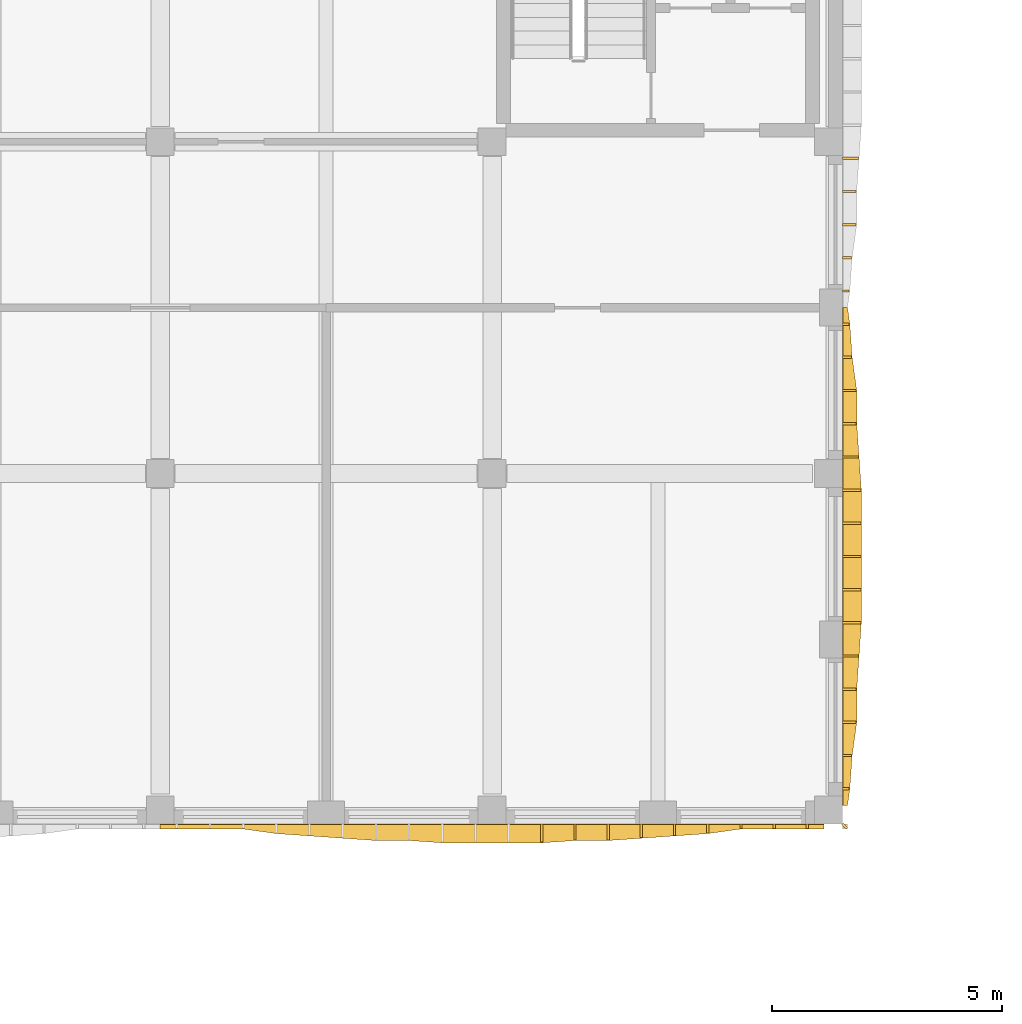
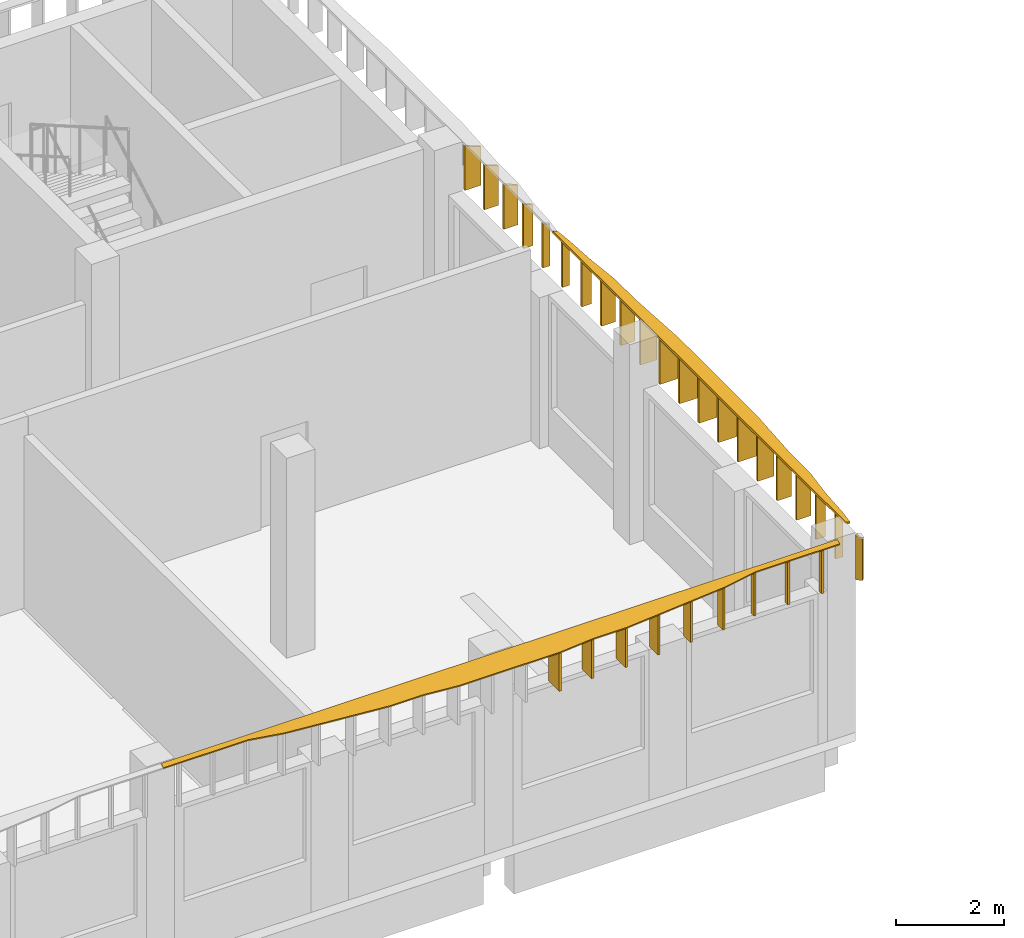
# One storey, part 39 of 44: 32 shading devices.
"""IFC4 building model written with IfcOpenShell, lengths in metres."""

from ifc_helpers import new_model, si_unit, direction, frame, origin, place, context, subcontext, project, spatial, polyline, outline, extrude, material, layer, layer_set, type_object, element, save


model = new_model("IFC4")

# Units and contexts
model_context = context("Model", 3, precision=1e-05, world=origin(), true_north=direction((0.0, 1.0)))
body_context = subcontext(model_context, "Body", "Model", "MODEL_VIEW")
ifc_project = project(units=[si_unit("LENGTHUNIT", "METRE"), si_unit("AREAUNIT", "SQUARE_METRE"), si_unit("VOLUMEUNIT", "CUBIC_METRE"), si_unit("PLANEANGLEUNIT", "RADIAN"), si_unit("MASSUNIT", "GRAM", prefix="KILO")], contexts=[model_context])

# Site, building, storey
site_placement = place(None, origin())
site = spatial("IfcSite", under=ifc_project, at=site_placement, CompositionType="ELEMENT")
building_placement = place(site_placement, origin())
building = spatial("IfcBuilding", under=site, at=building_placement, Name="Ussher Court Research Institute", CompositionType="ELEMENT")
storey_placement = place(building_placement, frame((0.0, 0.0, 18.89990234375)))
storey = spatial("IfcBuildingStorey", under=building, at=storey_placement, Name="L04", CompositionType="ELEMENT", Elevation=18.89990234375)

# Shading devices
ifc_material_1 = material(Name="Bronze anodised aluminium", Category="aluminium")
ifc_layer_1 = layer(ifc_material_1, 0.050048828125)
ifc_layer_set_1 = layer_set([ifc_layer_1], Name="Bronze anodised aluminium")
shading_device_type_1 = type_object("IfcShadingDeviceType", Name="Brim blade 100 mm deep 1000 mm high canted 20 deg dry", PredefinedType="USERDEFINED", material=ifc_layer_set_1)
for number, where, z_axis, x_axis, name in (
    (1, (81.840087890625, 68.39990234375, 3.4501953125), (0.0, 0.0, 1.0), (0.0, -1.0, 0.0), "Brim blade BS17 L04"),
    (2, (81.1201171875, 68.39990234375, 3.4501953125), (0.0, 0.0, 1.0), (0.0, -1.0, 0.0), "Brim blade BS17 L04"),
    (3, (80.39990234375, 68.39990234375, 3.4501953125), (0.0, 0.0, 1.0), (0.0, -1.0, 0.0), "Brim blade BS17 L04"),
):
    element("IfcShadingDevice", number, at=place(storey_placement, frame(where, z_axis=z_axis, x_axis=x_axis)), inside=storey, type_object=shading_device_type_1, Name=name, ObjectType="BLADE", PredefinedType="USERDEFINED", context=body_context, shape_type="SweptSolid", body=[
        extrude(outline(polyline([(0.0, 0.0), (0.099853515625, 0.0), (0.10009765625, 0.963623046875), (0.0, 1.0), (0.0, 0.0)])), frame((0.0, 0.02490234375, 0.0), z_axis=(0.0, -1.0, 0.0), x_axis=(1.0, 0.0, 0.0)), (0.0, 0.0, 1.0), 0.050048828125),
    ])
ifc_material_2 = material(Name="Bronze anodised aluminium", Category="aluminium")
ifc_layer_2 = layer(ifc_material_2, 0.050048828125)
ifc_layer_set_2 = layer_set([ifc_layer_2], Name="Bronze anodised aluminium")
shading_device_type_2 = type_object("IfcShadingDeviceType", Name="Brim blade 150 mm deep 1000 mm high canted 20 deg dry", PredefinedType="USERDEFINED", material=ifc_layer_set_2)
for number, where, z_axis, x_axis, name in (
    (4, (82.60009765625, 79.9599609375, 3.4501953125), (0.0, 0.0, 1.0), (1.0, 0.0, 0.0), "Brim blade BS16 L04"),
    (5, (82.60009765625, 79.239990234375, 3.4501953125), (0.0, 0.0, 1.0), (1.0, 0.0, 0.0), "Brim blade BS16 L04"),
    (6, (82.60009765625, 69.159912109375, 3.4501953125), (0.0, 0.0, 1.0), (1.0, 0.0, 0.0), "Brim blade BS16 L04"),
):
    element("IfcShadingDevice", number, at=place(storey_placement, frame(where, z_axis=z_axis, x_axis=x_axis)), inside=storey, type_object=shading_device_type_2, Name=name, ObjectType="BLADE", PredefinedType="USERDEFINED", context=body_context, shape_type="SweptSolid", body=[
        extrude(outline(polyline([(0.0, 0.0), (0.14990234375, 0.0), (0.14990234375, 0.9453125), (0.0, 1.0), (0.0, 0.0)])), frame((0.0, 0.02490234375, 0.0), z_axis=(0.0, -1.0, 0.0), x_axis=(1.0, 0.0, 0.0)), (0.0, 0.0, 1.0), 0.050048828125),
    ])
ifc_material_3 = material(Name="Bronze anodised aluminium", Category="aluminium")
ifc_layer_3 = layer(ifc_material_3, 0.050048828125)
ifc_layer_set_3 = layer_set([ifc_layer_3], Name="Bronze anodised aluminium")
shading_device_type_3 = type_object("IfcShadingDeviceType", Name="Brim blade 200 mm deep 1000 mm high canted 20 deg dry", PredefinedType="USERDEFINED", material=ifc_layer_set_3)
for number, where, z_axis, x_axis, name in (
    (7, (82.60009765625, 80.679931640625, 3.4501953125), (0.0, 0.0, 1.0), (1.0, 0.0, 0.0), "Brim blade BS15 L04"),
    (8, (82.60009765625, 78.52001953125, 3.4501953125), (0.0, 0.0, 1.0), (1.0, 0.0, 0.0), "Brim blade BS15 L04"),
    (9, (82.60009765625, 69.8798828125, 3.4501953125), (0.0, 0.0, 1.0), (1.0, 0.0, 0.0), "Brim blade BS15 L04"),
    (10, (79.679931640625, 68.39990234375, 3.4501953125), (0.0, 0.0, 1.0), (0.0, -1.0, 0.0), "Brim blade BS15 L04"),
):
    element("IfcShadingDevice", number, at=place(storey_placement, frame(where, z_axis=z_axis, x_axis=x_axis)), inside=storey, type_object=shading_device_type_3, Name=name, ObjectType="BLADE", PredefinedType="USERDEFINED", context=body_context, shape_type="SweptSolid", body=[
        extrude(outline(polyline([(0.0, 0.0), (0.199951171875, 0.0), (0.199951171875, 0.927001953125), (0.0, 1.0), (0.0, 0.0)])), frame((0.0, 0.02490234375, 0.0), z_axis=(0.0, -1.0, 0.0), x_axis=(1.0, 0.0, 0.0)), (0.0, 0.0, 1.0), 0.050048828125),
    ])
ifc_material_4 = material(Name="Bronze anodised aluminium", Category="aluminium")
ifc_layer_4 = layer(ifc_material_4, 0.050048828125)
ifc_layer_set_4 = layer_set([ifc_layer_4], Name="Bronze anodised aluminium")
shading_device_type_4 = type_object("IfcShadingDeviceType", Name="Brim blade 250 mm deep 1000 mm high canted 20 deg dry", PredefinedType="USERDEFINED", material=ifc_layer_set_4)
shading_device_1_placement = place(storey_placement, frame((78.9599609375, 68.39990234375, 3.4501953125), z_axis=(0.0, 0.0, 1.0), x_axis=(0.0, -1.0, 0.0)))
element("IfcShadingDevice", 11, at=shading_device_1_placement, inside=storey, type_object=shading_device_type_4, Name="Brim blade BS14 L04", ObjectType="BLADE", PredefinedType="USERDEFINED", context=body_context, shape_type="SweptSolid", body=[
    extrude(outline(polyline([(0.0, 0.0), (0.25, 0.0), (0.25, 0.908935546875), (0.0, 1.0), (0.0, 0.0)])), frame((0.0, 0.02490234375, 0.0), z_axis=(0.0, -1.0, 0.0), x_axis=(1.0, 0.0, 0.0)), (0.0, 0.0, 1.0), 0.050048828125),
])
ifc_material_5 = material(Name="Bronze anodised aluminium", Category="aluminium")
ifc_layer_5 = layer(ifc_material_5, 0.050048828125)
ifc_layer_set_5 = layer_set([ifc_layer_5], Name="Bronze anodised aluminium")
shading_device_type_5 = type_object("IfcShadingDeviceType", Name="Brim blade 300 mm deep 1000 mm high canted 20 deg dry", PredefinedType="USERDEFINED", material=ifc_layer_set_5)
for number, where, z_axis, x_axis, name in (
    (12, (82.60009765625, 82.1201171875, 3.4501953125), (0.0, 0.0, 1.0), (1.0, 0.0, 0.0), "Brim blade BS13 L04"),
    (13, (82.60009765625, 81.39990234375, 3.4501953125), (0.0, 0.0, 1.0), (1.0, 0.0, 0.0), "Brim blade BS13 L04"),
    (14, (82.60009765625, 77.800048828125, 3.4501953125), (0.0, 0.0, 1.0), (1.0, 0.0, 0.0), "Brim blade BS13 L04"),
    (15, (82.60009765625, 77.080078125, 3.4501953125), (0.0, 0.0, 1.0), (1.0, 0.0, 0.0), "Brim blade BS13 L04"),
    (16, (82.60009765625, 71.320068359375, 3.4501953125), (0.0, 0.0, 1.0), (1.0, 0.0, 0.0), "Brim blade BS13 L04"),
    (17, (82.60009765625, 70.60009765625, 3.4501953125), (0.0, 0.0, 1.0), (1.0, 0.0, 0.0), "Brim blade BS13 L04"),
    (18, (78.239990234375, 68.39990234375, 3.4501953125), (0.0, 0.0, 1.0), (0.0, -1.0, 0.0), "Brim blade BS13 L04"),
):
    element("IfcShadingDevice", number, at=place(storey_placement, frame(where, z_axis=z_axis, x_axis=x_axis)), inside=storey, type_object=shading_device_type_5, Name=name, ObjectType="BLADE", PredefinedType="USERDEFINED", context=body_context, shape_type="SweptSolid", body=[
        extrude(outline(polyline([(0.0, 0.0), (0.2998046875, 0.0), (0.300048828125, 0.890625), (0.0, 1.0), (0.0, 0.0)])), frame((0.0, 0.02490234375, 0.0), z_axis=(0.0, -1.0, 0.0), x_axis=(1.0, 0.0, 0.0)), (0.0, 0.0, 1.0), 0.050048828125),
    ])
ifc_material_6 = material(Name="Bronze anodised aluminium", Category="aluminium")
ifc_layer_6 = layer(ifc_material_6, 0.050048828125)
ifc_layer_set_6 = layer_set([ifc_layer_6], Name="Bronze anodised aluminium")
shading_device_type_6 = type_object("IfcShadingDeviceType", Name="Brim blade 350 mm deep 1000 mm high canted 20 deg dry", PredefinedType="USERDEFINED", material=ifc_layer_set_6)
for number, where, z_axis, x_axis, name in (
    (19, (82.60009765625, 82.840087890625, 3.4501953125), (0.0, 0.0, 1.0), (1.0, 0.0, 0.0), "Brim blade BS12 L04"),
    (20, (82.60009765625, 76.360107421875, 3.4501953125), (0.0, 0.0, 1.0), (1.0, 0.0, 0.0), "Brim blade BS12 L04"),
    (21, (82.60009765625, 72.0400390625, 3.4501953125), (0.0, 0.0, 1.0), (1.0, 0.0, 0.0), "Brim blade BS12 L04"),
    (22, (77.52001953125, 68.39990234375, 3.4501953125), (0.0, 0.0, 1.0), (0.0, -1.0, 0.0), "Brim blade BS12 L04"),
    (23, (76.800048828125, 68.39990234375, 3.4501953125), (0.0, 0.0, 1.0), (0.0, -1.0, 0.0), "Brim blade BS12 L04"),
):
    element("IfcShadingDevice", number, at=place(storey_placement, frame(where, z_axis=z_axis, x_axis=x_axis)), inside=storey, type_object=shading_device_type_6, Name=name, ObjectType="BLADE", PredefinedType="USERDEFINED", context=body_context, shape_type="SweptSolid", body=[
        extrude(outline(polyline([(0.0, 0.0), (0.349853515625, 0.0), (0.35009765625, 0.87255859375), (0.0, 1.0), (0.0, 0.0)])), frame((0.0, 0.02490234375, 0.0), z_axis=(0.0, -1.0, 0.0), x_axis=(1.0, 0.0, 0.0)), (0.0, 0.0, 1.0), 0.050048828125),
    ])
ifc_material_7 = material(Name="Bronze anodised aluminium", Category="aluminium")
ifc_layer_7 = layer(ifc_material_7, 0.050048828125)
ifc_layer_set_7 = layer_set([ifc_layer_7], Name="Bronze anodised aluminium")
shading_device_type_7 = type_object("IfcShadingDeviceType", Name="Brim blade 400 mm deep 1000 mm high canted 20 deg dry", PredefinedType="USERDEFINED", material=ifc_layer_set_7)
for number, where, z_axis, x_axis, name in (
    (24, (82.60009765625, 75.639892578125, 3.4501953125), (0.0, 0.0, 1.0), (1.0, 0.0, 0.0), "Brim blade BS11 L04"),
    (25, (82.60009765625, 74.919921875, 3.4501953125), (0.0, 0.0, 1.0), (1.0, 0.0, 0.0), "Brim blade BS11 L04"),
    (26, (82.60009765625, 74.199951171875, 3.4501953125), (0.0, 0.0, 1.0), (1.0, 0.0, 0.0), "Brim blade BS11 L04"),
    (27, (82.60009765625, 73.47998046875, 3.4501953125), (0.0, 0.0, 1.0), (1.0, 0.0, 0.0), "Brim blade BS11 L04"),
    (28, (82.60009765625, 72.760009765625, 3.4501953125), (0.0, 0.0, 1.0), (1.0, 0.0, 0.0), "Brim blade BS11 L04"),
    (29, (76.080078125, 68.39990234375, 3.4501953125), (0.0, 0.0, 1.0), (0.0, -1.0, 0.0), "Brim blade BS11 L04"),
):
    element("IfcShadingDevice", number, at=place(storey_placement, frame(where, z_axis=z_axis, x_axis=x_axis)), inside=storey, type_object=shading_device_type_7, Name=name, ObjectType="BLADE", PredefinedType="USERDEFINED", context=body_context, shape_type="SweptSolid", body=[
        extrude(outline(polyline([(0.0, 0.0), (0.39990234375, 0.0), (0.39990234375, 0.854248046875), (0.0, 1.0), (0.0, 0.0)])), frame((0.0, 0.02490234375, 0.0), z_axis=(0.0, -1.0, 0.0), x_axis=(1.0, 0.0, 0.0)), (0.0, 0.0, 1.0), 0.050048828125),
    ])
ifc_material_8 = material(Name="Bronze anodised aluminium", Category="aluminium")
ifc_layer_8 = layer(ifc_material_8, 0.050048828125)
ifc_layer_set_8 = layer_set([ifc_layer_8], Name="Bronze anodised aluminium")
shading_device_type_8 = type_object("IfcShadingDeviceType", Name="Brim mitre blade 100 mm deep 1000 mm high canted 20 deg dry", PredefinedType="USERDEFINED", material=ifc_layer_set_8)
shading_device_2_placement = place(storey_placement, frame((82.60009765625, 68.39990234375, 3.4501953125), z_axis=(0.0, 0.0, 1.0), x_axis=(0.707106781187, -0.707106781187, 0.0)))
element("IfcShadingDevice", 30, at=shading_device_2_placement, inside=storey, type_object=shading_device_type_8, Name="Brim mitre blade BS19 L04", ObjectType="BLADE", PredefinedType="USERDEFINED", context=body_context, shape_type="SweptSolid", body=[
    extrude(outline(polyline([(0.0, 0.0), (0.14111328125, 0.0), (0.141357421875, 0.927001953125), (0.0, 1.0), (0.0, 0.0)])), frame((0.0, 0.02490234375, 0.0), z_axis=(0.0, -1.0, 0.0), x_axis=(1.0, 0.0, 0.0)), (0.0, 0.0, 1.0), 0.050048828125),
])
ifc_material_9 = material(Name="Bronze anodised aluminium", Category="aluminium")
ifc_layer_9 = layer(ifc_material_9, 0.0400390625)
ifc_layer_set_9 = layer_set([ifc_layer_9], Name="Bronze anodised aluminium")
shading_device_type_9 = type_object("IfcShadingDeviceType", Name="Brim visor sheet 40 mm canted 20 deg dry", PredefinedType="USERDEFINED", material=ifc_layer_set_9)
shading_device_3_placement = place(storey_placement, frame((82.61376953125, 79.60009765625, 4.48779296875), z_axis=(0.34247777449, 0.0, 0.939525930446), x_axis=(0.0, -1.0, 0.0)))
element("IfcShadingDevice", 31, at=shading_device_3_placement, inside=storey, type_object=shading_device_type_9, Name="Brim visor sheet BR2 L04", ObjectType="BRIM", PredefinedType="USERDEFINED", context=body_context, shape_type="SweptSolid", body=[
    extrude(outline(polyline([(0.0, 0.0), (10.800048828125, 0.0), (10.800048828125, 0.10627326512485698), (10.440185546875, 0.15956639228017316), (9.72021484375, 0.21285951943548934), (9.0, 0.31936216100820913), (8.280029296875, 0.31936216100820913), (7.56005859375, 0.37234229897774984), (6.840087890625, 0.42563542613306604), (6.1201171875, 0.42563542613306604), (5.400146484375, 0.42563542613306604), (4.68017578125, 0.42563542613306604), (3.960205078125, 0.42563542613306604), (3.239990234375, 0.37234229897774984), (2.52001953125, 0.31936216100820913), (1.800048828125, 0.31936216100820913), (1.080078125, 0.21285951943548934), (0.360107421875, 0.15956639228017316), (0.0, 0.10627326512485698), (0.0, 0.0)])), origin(), (0.0, 0.0, -1.0), 0.0400390625),
])
shading_device_4_placement = place(storey_placement, frame((82.199951171875, 68.38623046875, 4.48779296875), z_axis=(0.0, -0.342400475787, 0.939554103913), x_axis=(-1.0, 0.0, 0.0)))
element("IfcShadingDevice", 32, at=shading_device_4_placement, inside=storey, type_object=shading_device_type_9, Name="Brim visor sheet BR2 L04", ObjectType="BRIM", PredefinedType="USERDEFINED", context=body_context, shape_type="SweptSolid", body=[
    extrude(outline(polyline([(0.0, 0.0), (14.39990234375, 0.0), (14.39990234375, 0.10627326645334817), (14.0400390625, 0.10627326645334817), (13.320068359375, 0.10627326645334817), (12.599853515625, 0.10627326645334817), (11.8798828125, 0.21285951009900608), (11.159912109375, 0.26606903805567605), (10.43994140625, 0.319362159878505), (9.719970703125, 0.3723423045090242), (9.0, 0.3723423045090242), (8.280029296875, 0.4256354263318532), (7.56005859375, 0.4256354263318532), (6.83984375, 0.4256354263318532), (6.119873046875, 0.4256354263318532), (5.39990234375, 0.3723423045090242), (4.679931640625, 0.3723423045090242), (3.9599609375, 0.319362159878505), (3.239990234375, 0.26606903805567605), (2.52001953125, 0.21285951009900608), (1.800048828125, 0.10627326645334817), (1.079833984375, 0.10627326645334817), (0.35986328125, 0.10627326645334817), (0.0, 0.10627326645334817), (0.0, 0.0)])), origin(), (0.0, 0.0, -1.0), 0.0400390625),
])

save(model, "model.ifc")
